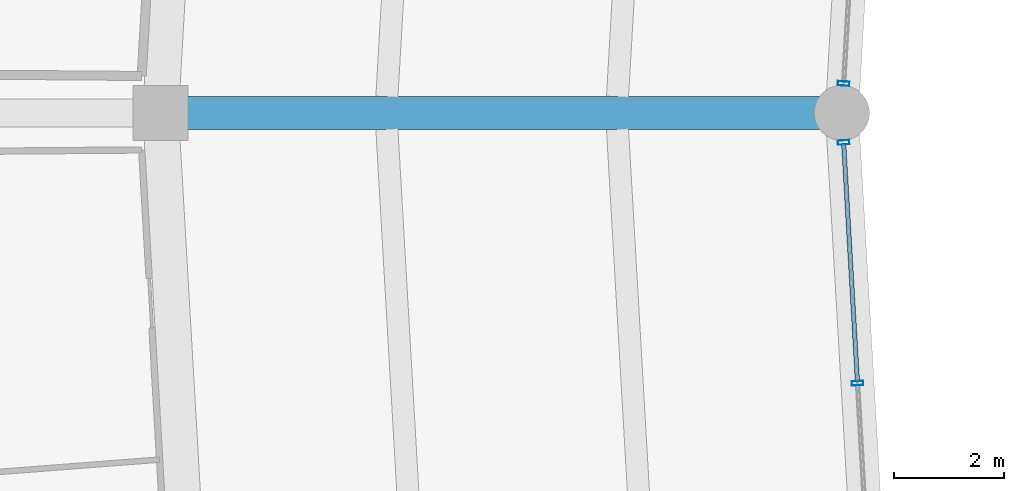
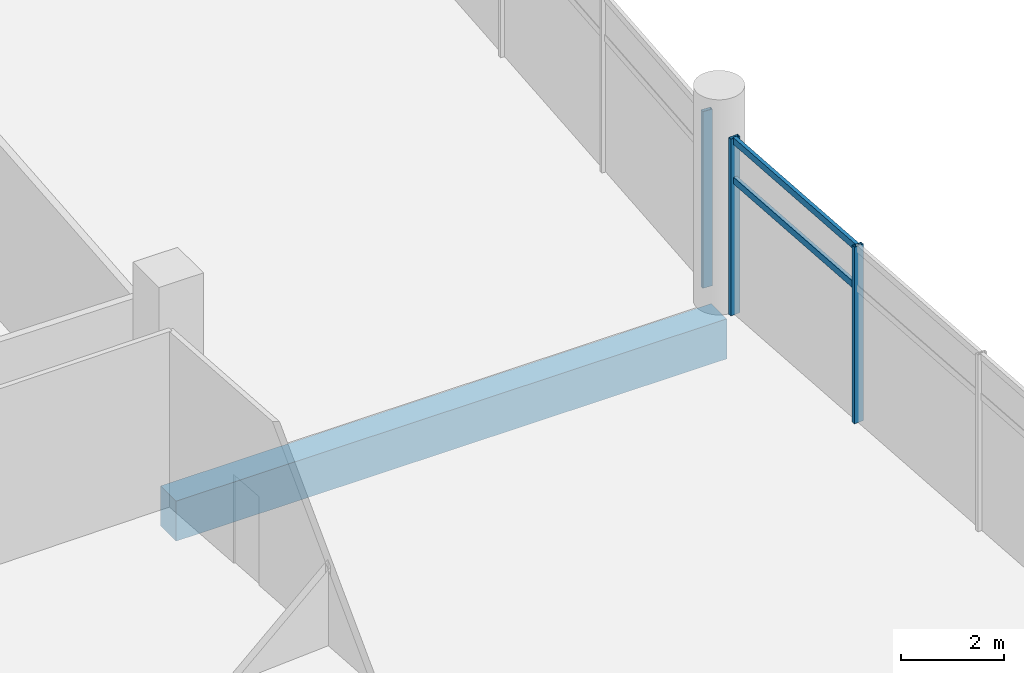
# One storey, part 40 of 184: 5 members, 1 beam, 2 elements without a shape of their own.
"""IFC4 building model written with IfcOpenShell, lengths in metres."""

from ifc_helpers import new_model, si_unit, direction, frame, origin, origin_2d, place, context, subcontext, project, spatial, rectangle, hollow_rectangle, extrude, material, layer, layer_set, material_profile, profile_set, type_object, element, aggregate, save


model = new_model("IFC4")

# Units and contexts
model_context = context("Model", 3, precision=1e-05, world=origin(), true_north=direction((0.0, 1.0)))
body_context = subcontext(model_context, "Body", "Model", "MODEL_VIEW")
ifc_project = project(units=[si_unit("LENGTHUNIT", "METRE"), si_unit("AREAUNIT", "SQUARE_METRE"), si_unit("VOLUMEUNIT", "CUBIC_METRE"), si_unit("PLANEANGLEUNIT", "RADIAN"), si_unit("MASSUNIT", "GRAM", prefix="KILO")], contexts=[model_context])

# Site, building, storey
site_placement = place(None, origin())
site = spatial("IfcSite", under=ifc_project, at=site_placement, CompositionType="ELEMENT")
building_placement = place(site_placement, origin())
building = spatial("IfcBuilding", under=site, at=building_placement, Name="Kazemori Nagisa Stadium", CompositionType="ELEMENT")
storey_placement = place(building_placement, frame((0.0, 0.0, 10.5400390625)))
storey = spatial("IfcBuildingStorey", under=building, at=storey_placement, Name="L02", CompositionType="ELEMENT", Elevation=10.5400390625)

# Beam
ifc_material_1 = material(Name="Concrete C40/50 (Fc42)", Category="concrete")
ifc_material_profile_1 = material_profile(ifc_material_1, rectangle(XDim=0.60009765625, YDim=0.949951171875, at=origin_2d()), Name="RC-BM-600x950")
ifc_profile_set_1 = profile_set([ifc_material_profile_1], Name="Concrete C40/50 (Fc42)")
beam_type = type_object("IfcBeamType", Name="Beam_BG-RC600X950", PredefinedType="BEAM", material=ifc_profile_set_1)
beam_placement = place(storey_placement, frame((53.64990234375, 102.0, -0.735107421875), z_axis=(-1.0, 0.0, 0.0), x_axis=(0.0, -1.0, 0.0)))
element("IfcBeam", 1, at=beam_placement, inside=storey, type_object=beam_type, Name="Radial girder BG-RC600X950 L02 R1-R2-15", PredefinedType="BEAM", context=body_context, shape_type="SweptSolid", body=[
    extrude(rectangle(XDim=0.60009765625, YDim=0.949951171875, at=origin_2d()), origin(), (0.0, 0.0, 1.0), 12.349853515625),
])

# Curtain wall, member
ifc_material_2 = material(Name="Anodised aluminium 6063-T5", Category="aluminium")
ifc_layer = layer(ifc_material_2, 0.2099609375, Name="Anodised aluminium 6063-T5", Category="aluminium")
ifc_layer_set = layer_set([ifc_layer], Name="Anodised aluminium 6063-T5")
curtain_wall_type = type_object("IfcCurtainWallType", Name="CW_L02B_66", PredefinedType="USERDEFINED", material=ifc_layer_set)
curtain_wall_1_placement = place(storey_placement, origin())
curtain_wall_1 = element("IfcCurtainWall", 2, at=curtain_wall_1_placement, inside=storey, type_object=curtain_wall_type, Name="Unitised curtain wall CW-L02B-66 L02", ObjectType="UNITISED CURTAIN WALL", PredefinedType="USERDEFINED")
ifc_material_3 = material(Name="Aluminium 6063-T5 anodised", Category="aluminium")
ifc_material_profile_2 = material_profile(ifc_material_3, hollow_rectangle(XDim=0.080078125, YDim=0.2099609375, WallThickness=0.0048828125, at=origin_2d()), Name="ALU-MULL-80x210x5")
ifc_profile_set_2 = profile_set([ifc_material_profile_2], Name="Aluminium 6063-T5 anodised")
member_type_1 = type_object("IfcMemberType", Name="Mullion_M02", PredefinedType="MULLION", material=ifc_profile_set_2)
member_1_placement = place(storey_placement, frame((53.680908203125, 102.5341796875, 0.0), z_axis=(0.0, 0.0, 1.0), x_axis=(-0.057601670941, -0.998339645364, 0.0)))
member_1 = element("IfcMember", 3, at=member_1_placement, type_object=member_type_1, Name="Curtain wall mullion CW-L02B-66-M4", PredefinedType="MULLION", context=body_context, shape_type="SweptSolid", body=[
    extrude(hollow_rectangle(XDim=0.080078125, YDim=0.2099609375, WallThickness=0.0048828125, at=origin_2d()), origin(), (0.0, 0.0, 1.0), 4.18994140625),
])
aggregate(curtain_wall_1, [member_1])

# Curtain wall, members
curtain_wall_2_placement = place(storey_placement, origin())
curtain_wall_2 = element("IfcCurtainWall", 4, at=curtain_wall_2_placement, inside=storey, type_object=curtain_wall_type, Name="Unitised curtain wall CW-L02B-66 L02", ObjectType="UNITISED CURTAIN WALL", PredefinedType="USERDEFINED")
member_2_placement = place(storey_placement, frame((53.680908203125, 101.4658203125, 0.0), z_axis=(0.0, 0.0, 1.0), x_axis=(0.057601670941, -0.998339645364, 0.0)))
member_2 = element("IfcMember", 5, at=member_2_placement, type_object=member_type_1, Name="Curtain wall mullion CW-L02B-66-M1", PredefinedType="MULLION", context=body_context, shape_type="SweptSolid", body=[
    extrude(hollow_rectangle(XDim=0.080078125, YDim=0.2099609375, WallThickness=0.0048828125, at=origin_2d()), origin(), (0.0, 0.0, 1.0), 4.18994140625),
])
member_3_placement = place(storey_placement, frame((53.9326171875, 97.101806640625, 0.0), z_axis=(0.0, 0.0, 1.0), x_axis=(0.057601670941, -0.998339645364, 0.0)))
member_3 = element("IfcMember", 6, at=member_3_placement, type_object=member_type_1, Name="Curtain wall mullion CW-L02B-66-M2", PredefinedType="MULLION", context=body_context, shape_type="SweptSolid", body=[
    extrude(hollow_rectangle(XDim=0.080078125, YDim=0.2099609375, WallThickness=0.0048828125, at=origin_2d()), origin(), (0.0, 0.0, 1.0), 4.18994140625),
])
ifc_material_profile_3 = material_profile(ifc_material_3, hollow_rectangle(XDim=0.080078125, YDim=0.159912109375, WallThickness=0.00390625, at=origin_2d()), Name="ALU-TRAN-80x160x4")
ifc_profile_set_3 = profile_set([ifc_material_profile_3], Name="Aluminium 6063-T5 anodised")
member_type_2 = type_object("IfcMemberType", Name="Transom_T02", PredefinedType="USERDEFINED", material=ifc_profile_set_3)
member_4_placement = place(storey_placement, frame((53.681884765625, 101.44580078125, 3.184326171875), z_axis=(0.057608419603, -0.99833925596, 0.0), x_axis=(0.99833925596, 0.057608419603, 0.0)))
member_4 = element("IfcMember", 7, at=member_4_placement, type_object=member_type_2, Name="Curtain wall transom CW-L02B-66-T1-mid", ObjectType="TRANSOM", PredefinedType="USERDEFINED", context=body_context, shape_type="SweptSolid", body=[
    extrude(hollow_rectangle(XDim=0.080078125, YDim=0.159912109375, WallThickness=0.00390625, at=origin_2d()), origin(), (0.0, 0.0, 1.0), 4.3310546875),
])
member_5_placement = place(storey_placement, frame((53.681884765625, 101.44580078125, 4.119873046875), z_axis=(0.057608419603, -0.99833925596, 0.0), x_axis=(0.99833925596, 0.057608419603, 0.0)))
member_5 = element("IfcMember", 8, at=member_5_placement, type_object=member_type_2, Name="Curtain wall transom CW-L02B-66-T1-head", ObjectType="TRANSOM", PredefinedType="USERDEFINED", context=body_context, shape_type="SweptSolid", body=[
    extrude(hollow_rectangle(XDim=0.080078125, YDim=0.159912109375, WallThickness=0.00390625, at=origin_2d()), origin(), (0.0, 0.0, 1.0), 4.3310546875),
])
aggregate(curtain_wall_2, [member_2, member_3, member_4, member_5])

save(model, "model.ifc")
